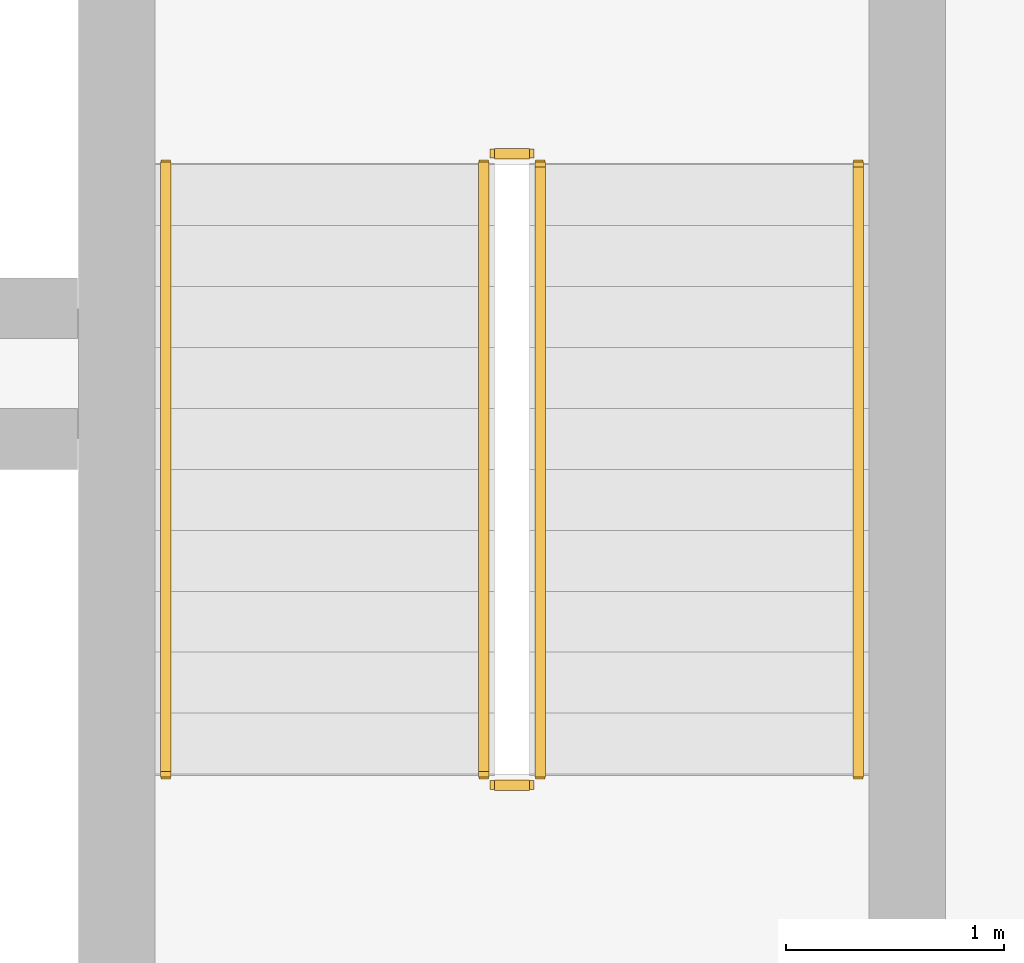
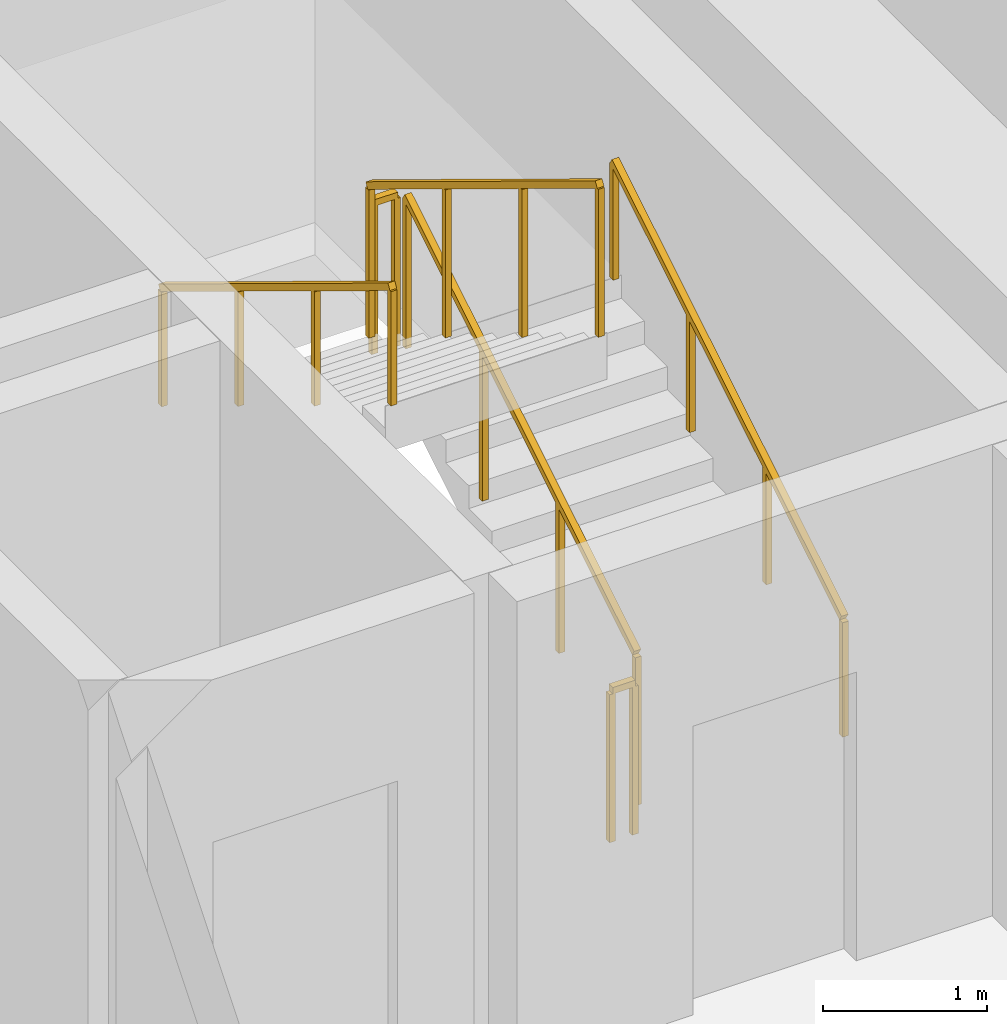
# One storey, part 15 of 15: 6 railings.
"""IFC4 building model written with IfcOpenShell, lengths in metres."""

from ifc_helpers import new_model, si_unit, direction, frame, origin, origin_2d, place, context, subcontext, project, spatial, rectangle, extrude, material, type_object, element, save


model = new_model("IFC4")

# Units and contexts
model_context = context("Model", 3, precision=1e-05, world=origin(), true_north=direction((0.0, 1.0)))
body_context = subcontext(model_context, "Body", "Model", "MODEL_VIEW")
ifc_project = project(units=[si_unit("LENGTHUNIT", "METRE"), si_unit("AREAUNIT", "SQUARE_METRE"), si_unit("VOLUMEUNIT", "CUBIC_METRE"), si_unit("PLANEANGLEUNIT", "RADIAN"), si_unit("MASSUNIT", "GRAM", prefix="KILO")], contexts=[model_context])

# Site, building, storey
site_placement = place(None, origin())
site = spatial("IfcSite", under=ifc_project, at=site_placement, CompositionType="ELEMENT")
building_placement = place(site_placement, origin())
building = spatial("IfcBuilding", under=site, at=building_placement, Name="Kaelvorn Grand Hotel", CompositionType="ELEMENT")
storey_placement = place(building_placement, frame((0.0, 0.0, 111.800048828125)))
storey = spatial("IfcBuildingStorey", under=building, at=storey_placement, Name="L26", CompositionType="ELEMENT", Elevation=111.800048828125)

# Railings
ifc_material = material(Name="Stainless Steel", Category="steel")
railing_type_1 = type_object("IfcRailingType", Name="RL-HANDRAIL-900", PredefinedType="HANDRAIL", material=ifc_material)
railing_1_placement = place(storey_placement, frame((66.550048828125, 41.760009765625, 0.17041015625)))
element("IfcRailing", 1, at=railing_1_placement, inside=storey, type_object=railing_type_1, Name="L26 ST3 stair handrail 1", PredefinedType="HANDRAIL", context=body_context, shape_type="SweptSolid", body=[
    extrude(rectangle(XDim=0.048095703125, YDim=0.048095703125, at=origin_2d()), frame((0.0, 0.0, 0.8759765625), z_axis=(0.0, 0.854169791009, 0.51999420009), x_axis=(-1.0, 0.0, 0.0)), (0.0, 0.0, 1.0), 3.278076171875),
    extrude(rectangle(XDim=0.0419921875, YDim=0.0419921875, at=origin_2d()), origin(), (0.0, 0.0, 1.0), 0.851806640625),
    extrude(rectangle(XDim=0.0419921875, YDim=0.0419921875, at=origin_2d()), frame((0.0, 0.933349609375, 0.568115234375)), (0.0, 0.0, 1.0), 0.851806640625),
    extrude(rectangle(XDim=0.0419921875, YDim=0.0419921875, at=origin_2d()), frame((0.0, 1.86669921875, 1.136474609375)), (0.0, 0.0, 1.0), 0.851806640625),
    extrude(rectangle(XDim=0.0419921875, YDim=0.0419921875, at=origin_2d()), frame((0.0, 2.800048828125, 1.70458984375)), (0.0, 0.0, 1.0), 0.851806640625),
])
railing_2_placement = place(storey_placement, frame((63.3701171875, 44.56005859375, 2.04541015625)))
element("IfcRailing", 2, at=railing_2_placement, inside=storey, type_object=railing_type_1, Name="L26 ST3 stair handrail 2", PredefinedType="HANDRAIL", context=body_context, shape_type="SweptSolid", body=[
    extrude(rectangle(XDim=0.048095703125, YDim=0.048095703125, at=origin_2d()), frame((0.0, 0.0, 0.8759765625), z_axis=(0.0, -0.854169791009, 0.51999420009), x_axis=(1.0, 0.0, 0.0)), (0.0, 0.0, 1.0), 3.278076171875),
    extrude(rectangle(XDim=0.0419921875, YDim=0.0419921875, at=origin_2d()), origin(), (0.0, 0.0, 1.0), 0.851806640625),
    extrude(rectangle(XDim=0.0419921875, YDim=0.0419921875, at=origin_2d()), frame((0.0, -0.933349609375, 0.568115234375)), (0.0, 0.0, 1.0), 0.851806640625),
    extrude(rectangle(XDim=0.0419921875, YDim=0.0419921875, at=origin_2d()), frame((0.0, -1.86669921875, 1.136474609375)), (0.0, 0.0, 1.0), 0.851806640625),
    extrude(rectangle(XDim=0.0419921875, YDim=0.0419921875, at=origin_2d()), frame((0.0, -2.800048828125, 1.70458984375)), (0.0, 0.0, 1.0), 0.851806640625),
])
railing_type_2 = type_object("IfcRailingType", Name="RL-STAIR-GUARD-1150", PredefinedType="BALUSTRADE", material=ifc_material)
railing_3_placement = place(storey_placement, frame((65.090087890625, 41.760009765625, 0.17041015625)))
element("IfcRailing", 3, at=railing_3_placement, inside=storey, type_object=railing_type_2, Name="L26 ST3 stair guard 1", PredefinedType="BALUSTRADE", context=body_context, shape_type="SweptSolid", body=[
    extrude(rectangle(XDim=0.048095703125, YDim=0.048095703125, at=origin_2d()), frame((0.0, 0.0, 1.1259765625), z_axis=(0.0, 0.854169791009, 0.51999420009), x_axis=(-1.0, 0.0, 0.0)), (0.0, 0.0, 1.0), 3.278076171875),
    extrude(rectangle(XDim=0.0419921875, YDim=0.0419921875, at=origin_2d()), origin(), (0.0, 0.0, 1.0), 1.101806640625),
    extrude(rectangle(XDim=0.0419921875, YDim=0.0419921875, at=origin_2d()), frame((0.0, 0.933349609375, 0.568115234375)), (0.0, 0.0, 1.0), 1.101806640625),
    extrude(rectangle(XDim=0.0419921875, YDim=0.0419921875, at=origin_2d()), frame((0.0, 1.86669921875, 1.136474609375)), (0.0, 0.0, 1.0), 1.101806640625),
    extrude(rectangle(XDim=0.0419921875, YDim=0.0419921875, at=origin_2d()), frame((0.0, 2.800048828125, 1.70458984375)), (0.0, 0.0, 1.0), 1.101806640625),
])
railing_4_placement = place(storey_placement, frame((65.0400390625, 44.610107421875, 1.875)))
element("IfcRailing", 4, at=railing_4_placement, inside=storey, type_object=railing_type_2, Name="L26 ST3 stair guard 2", PredefinedType="BALUSTRADE", context=body_context, shape_type="SweptSolid", body=[
    extrude(rectangle(XDim=0.048095703125, YDim=0.048095703125, at=origin_2d()), frame((0.0, 0.0, 1.1259765625), z_axis=(-1.0, 0.0, 0.0), x_axis=(0.0, -1.0, 0.0)), (0.0, 0.0, 1.0), 0.16015625),
    extrude(rectangle(XDim=0.0419921875, YDim=0.0419921875, at=origin_2d()), origin(), (0.0, 0.0, 1.0), 1.101806640625),
    extrude(rectangle(XDim=0.0419921875, YDim=0.0419921875, at=origin_2d()), frame((-0.16015625, 0.0, 0.0)), (0.0, 0.0, 1.0), 1.101806640625),
])
railing_5_placement = place(storey_placement, frame((64.830078125, 44.56005859375, 2.04541015625)))
element("IfcRailing", 5, at=railing_5_placement, inside=storey, type_object=railing_type_2, Name="L26 ST3 stair guard 3", PredefinedType="BALUSTRADE", context=body_context, shape_type="SweptSolid", body=[
    extrude(rectangle(XDim=0.048095703125, YDim=0.048095703125, at=origin_2d()), frame((0.0, 0.0, 1.1259765625), z_axis=(0.0, -0.854169791009, 0.51999420009), x_axis=(1.0, 0.0, 0.0)), (0.0, 0.0, 1.0), 3.278076171875),
    extrude(rectangle(XDim=0.0419921875, YDim=0.0419921875, at=origin_2d()), origin(), (0.0, 0.0, 1.0), 1.101806640625),
    extrude(rectangle(XDim=0.0419921875, YDim=0.0419921875, at=origin_2d()), frame((0.0, -0.933349609375, 0.568115234375)), (0.0, 0.0, 1.0), 1.101806640625),
    extrude(rectangle(XDim=0.0419921875, YDim=0.0419921875, at=origin_2d()), frame((0.0, -1.86669921875, 1.136474609375)), (0.0, 0.0, 1.0), 1.101806640625),
    extrude(rectangle(XDim=0.0419921875, YDim=0.0419921875, at=origin_2d()), frame((0.0, -2.800048828125, 1.70458984375)), (0.0, 0.0, 1.0), 1.101806640625),
])
railing_6_placement = place(storey_placement, frame((65.0400390625, 41.7099609375, 0.0)))
element("IfcRailing", 6, at=railing_6_placement, inside=storey, type_object=railing_type_2, Name="L26 ST3 stair guard 4", PredefinedType="BALUSTRADE", context=body_context, shape_type="SweptSolid", body=[
    extrude(rectangle(XDim=0.048095703125, YDim=0.048095703125, at=origin_2d()), frame((0.0, 0.0, 1.1259765625), z_axis=(-1.0, 0.0, 0.0), x_axis=(0.0, -1.0, 0.0)), (0.0, 0.0, 1.0), 0.16015625),
    extrude(rectangle(XDim=0.0419921875, YDim=0.0419921875, at=origin_2d()), origin(), (0.0, 0.0, 1.0), 1.101806640625),
    extrude(rectangle(XDim=0.0419921875, YDim=0.0419921875, at=origin_2d()), frame((-0.16015625, 0.0, 0.0)), (0.0, 0.0, 1.0), 1.101806640625),
])

save(model, "model.ifc")
